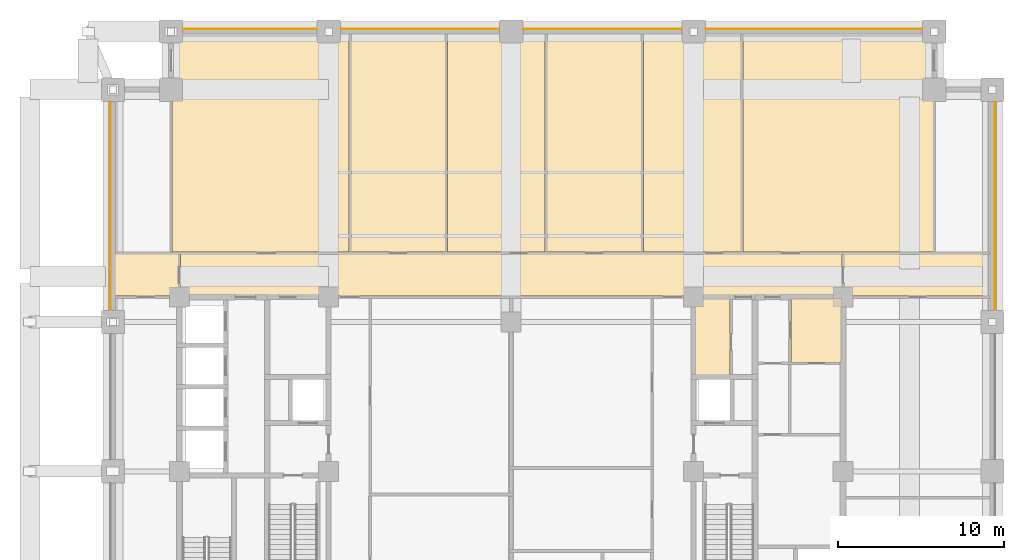
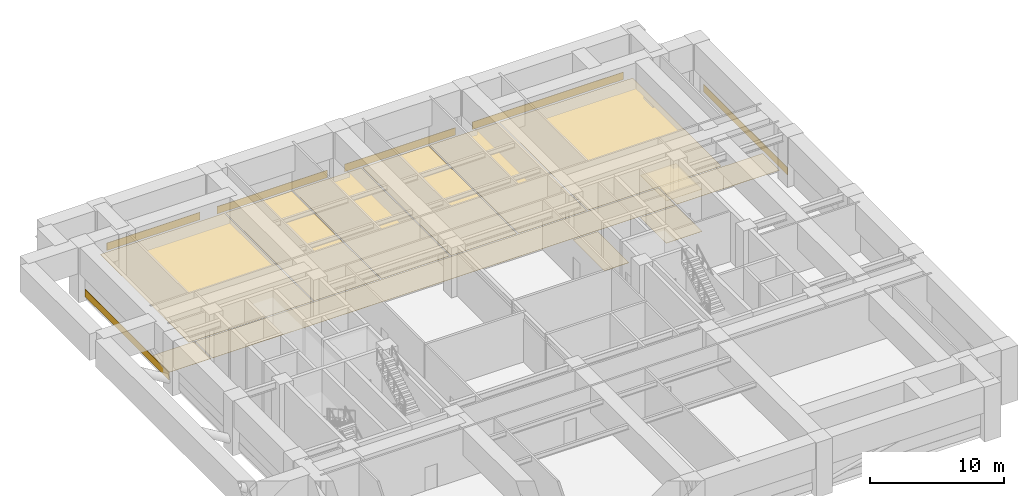
# One storey, part 11 of 11: 18 coverings.
"""IFC4 building model written with IfcOpenShell, lengths in metres."""

from ifc_helpers import new_model, si_unit, direction, frame, frame_2d, origin, place, context, subcontext, project, spatial, polyline, rectangle, outline, extrude, material, layer, layer_set, type_object, element, save


model = new_model("IFC4")

# Units and contexts
model_context = context("Model", 3, precision=1e-05, world=origin(), true_north=direction((0.0, 1.0)))
body_context = subcontext(model_context, "Body", "Model", "MODEL_VIEW")
ifc_project = project(units=[si_unit("LENGTHUNIT", "METRE"), si_unit("AREAUNIT", "SQUARE_METRE"), si_unit("VOLUMEUNIT", "CUBIC_METRE"), si_unit("PLANEANGLEUNIT", "RADIAN"), si_unit("MASSUNIT", "GRAM", prefix="KILO")], contexts=[model_context])

# Site, building, storey
site_placement = place(None, origin())
site = spatial("IfcSite", under=ifc_project, at=site_placement, CompositionType="ELEMENT")
building_placement = place(site_placement, origin())
building = spatial("IfcBuilding", under=site, at=building_placement, Name="Zulmaris Gate Convention Tower", CompositionType="ELEMENT")
storey_placement = place(building_placement, frame((0.0, 0.0, 52.18994140625)))
storey = spatial("IfcBuildingStorey", under=building, at=storey_placement, Name="L12", CompositionType="ELEMENT", Elevation=52.18994140625)

# Coverings
ifc_material_1 = material(Name="Precast concrete C40/50", Category="concrete")
ifc_layer_1 = layer(ifc_material_1, 0.0400390625, Name="Precast concrete C40/50")
ifc_layer_set_1 = layer_set([ifc_layer_1], Name="Precast concrete C40/50")
covering_type_1 = type_object("IfcCoveringType", Name="CLAD-SPANDREL-PRECAST", PredefinedType="CLADDING", material=ifc_layer_set_1)
covering_1_placement = place(storey_placement, frame((-11.72998046875, 26.64990234375, 0.0), z_axis=(0.0, 0.0, 1.0), x_axis=(-1.0, 0.0, 0.0)))
element("IfcCovering", 1, at=covering_1_placement, inside=storey, type_object=covering_type_1, Name="CLD-L12-N-0_0", PredefinedType="CLADDING", context=body_context, shape_type="SweptSolid", body=[
    extrude(rectangle(XDim=8.0400390625, YDim=0.0400390625, at=frame_2d((4.02001953125, 0.0))), origin(), (0.0, 0.0, 1.0), 0.679931640625),
])
for number, where, z_axis, x_axis, name in (
    (2, (-0.72998046875, 26.64990234375, 0.0), (0.0, 0.0, 1.0), (-1.0, 0.0, 0.0), "CLD-L12-N-1_0"),
    (3, (10.27001953125, 26.64990234375, 0.0), (0.0, 0.0, 1.0), (-1.0, 0.0, 0.0), "CLD-L12-N-2_0"),
):
    element("IfcCovering", number, at=place(storey_placement, frame(where, z_axis=z_axis, x_axis=x_axis)), inside=storey, type_object=covering_type_1, Name=name, PredefinedType="CLADDING", context=body_context, shape_type="SweptSolid", body=[
        extrude(rectangle(XDim=9.5400390625, YDim=0.0400390625, at=frame_2d((4.77001953125, 0.0))), origin(), (0.0, 0.0, 1.0), 0.679931640625),
    ])
covering_2_placement = place(storey_placement, frame((24.77001953125, 26.64990234375, 0.0), z_axis=(0.0, 0.0, 1.0), x_axis=(-1.0, 0.0, 0.0)))
element("IfcCovering", 4, at=covering_2_placement, inside=storey, type_object=covering_type_1, Name="CLD-L12-N-3_0", PredefinedType="CLADDING", context=body_context, shape_type="SweptSolid", body=[
    extrude(rectangle(XDim=13.0400390625, YDim=0.0400390625, at=frame_2d((6.52001953125, 0.0))), origin(), (0.0, 0.0, 1.0), 0.679931640625),
])
for number, where, z_axis, x_axis, name in (
    (5, (29.14990234375, 9.72998046875, 0.0), (0.0, 0.0, 1.0), (0.0, 1.0, 0.0), "CLD-L12-E-3_0"),
    (6, (-24.14990234375, 22.27001953125, 0.0), (0.0, 0.0, 1.0), (0.0, -1.0, 0.0), "CLD-L12-W-3_0"),
):
    element("IfcCovering", number, at=place(storey_placement, frame(where, z_axis=z_axis, x_axis=x_axis)), inside=storey, type_object=covering_type_1, Name=name, PredefinedType="CLADDING", context=body_context, shape_type="SweptSolid", body=[
        extrude(rectangle(XDim=12.5400390625, YDim=0.0400390625, at=frame_2d((6.27001953125, 0.0))), origin(), (0.0, 0.0, 1.0), 0.679931640625),
    ])
ifc_material_2 = material(Name="Mineral Fibre Acoustic Ceiling Tile")
ifc_layer_2 = layer(ifc_material_2, 0.02001953125, Name="Mineral Fibre Acoustic Ceiling Tile")
ifc_layer_set_2 = layer_set([ifc_layer_2], Name="Mineral Fibre Acoustic Ceiling Tile")
covering_type_2 = type_object("IfcCoveringType", Name="CLG-ACOUSTIC-600", PredefinedType="CEILING", material=ifc_layer_set_2)
covering_3_placement = place(storey_placement, frame((0.0, 0.0, 3.847900390625)))
element("IfcCovering", 7, at=covering_3_placement, inside=storey, type_object=covering_type_2, Name="CLG-L12-R27", PredefinedType="CEILING", context=body_context, shape_type="SweptSolid", body=[
    extrude(outline(polyline([(16.860107421875, 6.56005859375), (19.93994140625, 6.56005859375), (19.93994140625, 10.43994140625), (16.860107421875, 10.43994140625), (16.860107421875, 6.56005859375)])), origin(), (0.0, 0.0, 1.0), 0.02001953125),
])
ifc_material_3 = material(Name="Woven Acoustic Wool Carpet Tile")
ifc_layer_3 = layer(ifc_material_3, 0.02001953125, Name="Woven Acoustic Wool Carpet Tile")
ifc_layer_set_3 = layer_set([ifc_layer_3], Name="Woven Acoustic Wool Carpet Tile")
covering_type_3 = type_object("IfcCoveringType", Name="FLR-CARPET-12", PredefinedType="FLOORING", material=ifc_layer_set_3)
covering_4_placement = place(storey_placement, origin())
element("IfcCovering", 8, at=covering_4_placement, inside=storey, type_object=covering_type_3, Name="FLR-L12-R12", PredefinedType="FLOORING", context=body_context, shape_type="SweptSolid", body=[
    extrude(outline(polyline([(11.06005859375, 5.760009765625), (13.18994140625, 5.760009765625), (13.18994140625, 10.43994140625), (11.06005859375, 10.43994140625), (11.06005859375, 5.760009765625)])), origin(), (0.0, 0.0, 1.0), 0.02001953125),
])
covering_5_placement = place(storey_placement, origin())
element("IfcCovering", 9, at=covering_5_placement, inside=storey, type_object=covering_type_3, Name="FLR-L12-R27", PredefinedType="FLOORING", context=body_context, shape_type="SweptSolid", body=[
    extrude(outline(polyline([(16.860107421875, 6.56005859375), (19.93994140625, 6.56005859375), (19.93994140625, 10.43994140625), (16.860107421875, 10.43994140625), (16.860107421875, 6.56005859375)])), origin(), (0.0, 0.0, 1.0), 0.02001953125),
])
covering_6_placement = place(storey_placement, origin())
element("IfcCovering", 10, at=covering_6_placement, inside=storey, type_object=covering_type_3, Name="FLR-L12-R29", PredefinedType="FLOORING", context=body_context, shape_type="SweptSolid", body=[
    extrude(outline(polyline([(-19.93994140625, 10.56005859375), (19.93994140625, 10.56005859375), (19.93994140625, 13.090087890625), (-19.93994140625, 13.090087890625), (-19.93994140625, 10.56005859375)])), origin(), (0.0, 0.0, 1.0), 0.02001953125),
])
covering_7_placement = place(storey_placement, origin())
element("IfcCovering", 11, at=covering_7_placement, inside=storey, type_object=covering_type_3, Name="FLR-L12-R34", PredefinedType="FLOORING", context=body_context, shape_type="SweptSolid", body=[
    extrude(outline(polyline([(-9.639892578125, 13.2099609375), (-3.9599609375, 13.2099609375), (-3.9599609375, 26.43994140625), (-9.639892578125, 26.43994140625), (-9.639892578125, 13.2099609375)])), origin(), (0.0, 0.0, 1.0), 0.02001953125),
])
covering_8_placement = place(storey_placement, origin())
element("IfcCovering", 12, at=covering_8_placement, inside=storey, type_object=covering_type_3, Name="FLR-L12-R35", PredefinedType="FLOORING", context=body_context, shape_type="SweptSolid", body=[
    extrude(outline(polyline([(-3.840087890625, 13.2099609375), (2.0400390625, 13.2099609375), (2.0400390625, 26.43994140625), (-3.840087890625, 26.43994140625), (-3.840087890625, 13.2099609375)])), origin(), (0.0, 0.0, 1.0), 0.02001953125),
])
covering_9_placement = place(storey_placement, origin())
element("IfcCovering", 13, at=covering_9_placement, inside=storey, type_object=covering_type_3, Name="FLR-L12-R36", PredefinedType="FLOORING", context=body_context, shape_type="SweptSolid", body=[
    extrude(outline(polyline([(2.159912109375, 13.2099609375), (7.840087890625, 13.2099609375), (7.840087890625, 26.43994140625), (2.159912109375, 26.43994140625), (2.159912109375, 13.2099609375)])), origin(), (0.0, 0.0, 1.0), 0.02001953125),
])
covering_10_placement = place(storey_placement, origin())
element("IfcCovering", 14, at=covering_10_placement, inside=storey, type_object=covering_type_3, Name="FLR-L12-R38", PredefinedType="FLOORING", context=body_context, shape_type="SweptSolid", body=[
    extrude(outline(polyline([(13.9599609375, 13.2099609375), (25.43994140625, 13.2099609375), (25.43994140625, 26.43994140625), (13.9599609375, 26.43994140625), (13.9599609375, 13.2099609375)])), origin(), (0.0, 0.0, 1.0), 0.02001953125),
])
covering_11_placement = place(storey_placement, origin())
element("IfcCovering", 15, at=covering_11_placement, inside=storey, type_object=covering_type_3, Name="FLR-L12-R48", PredefinedType="FLOORING", context=body_context, shape_type="SweptSolid", body=[
    extrude(outline(polyline([(-23.93994140625, 10.56005859375), (-20.06005859375, 10.56005859375), (-20.06005859375, 13.090087890625), (-23.93994140625, 13.090087890625), (-23.93994140625, 10.56005859375)])), origin(), (0.0, 0.0, 1.0), 0.02001953125),
])
covering_12_placement = place(storey_placement, origin())
element("IfcCovering", 16, at=covering_12_placement, inside=storey, type_object=covering_type_3, Name="FLR-L12-R51", PredefinedType="FLOORING", context=body_context, shape_type="SweptSolid", body=[
    extrude(outline(polyline([(20.06005859375, 10.56005859375), (28.93994140625, 10.56005859375), (28.93994140625, 13.090087890625), (20.06005859375, 13.090087890625), (20.06005859375, 10.56005859375)])), origin(), (0.0, 0.0, 1.0), 0.02001953125),
])
ifc_material_4 = material(Name="Engineered Teak Parquet Flooring")
ifc_layer_4 = layer(ifc_material_4, 0.02001953125, Name="Engineered Teak Parquet Flooring")
ifc_layer_set_4 = layer_set([ifc_layer_4], Name="Engineered Teak Parquet Flooring")
covering_type_4 = type_object("IfcCoveringType", Name="FLR-TIMBER-18", PredefinedType="FLOORING", material=ifc_layer_set_4)
covering_13_placement = place(storey_placement, origin())
element("IfcCovering", 17, at=covering_13_placement, inside=storey, type_object=covering_type_4, Name="FLR-L12-R33", PredefinedType="FLOORING", context=body_context, shape_type="SweptSolid", body=[
    extrude(outline(polyline([(-20.43994140625, 13.2099609375), (-9.760009765625, 13.2099609375), (-9.760009765625, 26.43994140625), (-20.43994140625, 26.43994140625), (-20.43994140625, 13.2099609375)])), origin(), (0.0, 0.0, 1.0), 0.02001953125),
])
covering_14_placement = place(storey_placement, origin())
element("IfcCovering", 18, at=covering_14_placement, inside=storey, type_object=covering_type_4, Name="FLR-L12-R37", PredefinedType="FLOORING", context=body_context, shape_type="SweptSolid", body=[
    extrude(outline(polyline([(7.9599609375, 13.2099609375), (13.840087890625, 13.2099609375), (13.840087890625, 26.43994140625), (7.9599609375, 26.43994140625), (7.9599609375, 13.2099609375)])), origin(), (0.0, 0.0, 1.0), 0.02001953125),
])

save(model, "model.ifc")
